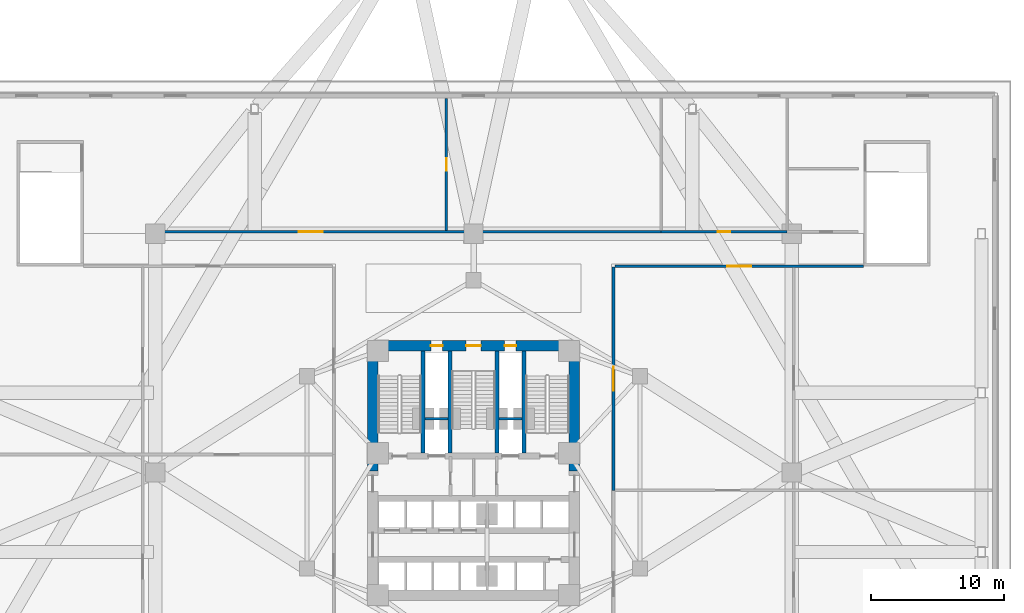
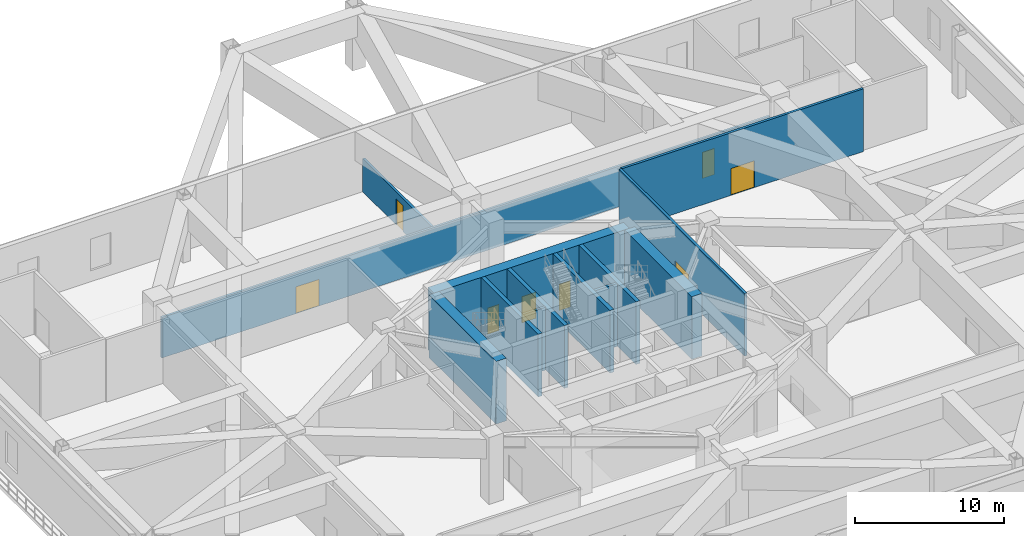
# One storey, part 8 of 15: 14 walls, 8 doors, 8 openings.
"""IFC4 building model written with IfcOpenShell, lengths in metres."""

from ifc_helpers import new_model, si_unit, direction, frame, frame_2d, origin, place, context, subcontext, project, spatial, rectangle, extrude, material, layer, layer_set, type_object, element, fill, save


model = new_model("IFC4")

# Units and contexts
model_context = context("Model", 3, precision=1e-05, world=origin(), true_north=direction((0.0, 1.0)))
body_context = subcontext(model_context, "Body", "Model", "MODEL_VIEW")
ifc_project = project(units=[si_unit("LENGTHUNIT", "METRE"), si_unit("AREAUNIT", "SQUARE_METRE"), si_unit("VOLUMEUNIT", "CUBIC_METRE"), si_unit("PLANEANGLEUNIT", "RADIAN"), si_unit("MASSUNIT", "GRAM", prefix="KILO")], contexts=[model_context])

# Site, building, storey
site_placement = place(None, origin())
site = spatial("IfcSite", under=ifc_project, at=site_placement, CompositionType="ELEMENT")
building_placement = place(site_placement, origin())
building = spatial("IfcBuilding", under=site, at=building_placement, Name="Apsidion Concourse Tower", CompositionType="ELEMENT")
storey_placement = place(building_placement, frame((0.0, 0.0, 23.5)))
storey = spatial("IfcBuildingStorey", under=building, at=storey_placement, Name="L04", CompositionType="ELEMENT", Elevation=23.5)

# Wall, opening, door
ifc_material_1 = material(Name="Gypsum plasterboard partition")
ifc_layer_1 = layer(ifc_material_1, 0.179931640625)
ifc_layer_set_1 = layer_set([ifc_layer_1], Name="Gypsum plasterboard partition")
wall_type_1 = type_object("IfcWallType", Name="WL-INT-PAR-180", PredefinedType="PARTITIONING", material=ifc_layer_set_1)
wall_1_placement = place(storey_placement, frame((-2.050048828125, 18.25, 0.0), z_axis=(0.0, 0.0, 1.0), x_axis=(0.0, 1.0, 0.0)))
wall_1 = element("IfcWall", 1, at=wall_1_placement, inside=storey, type_object=wall_type_1, Name="L04 Interior Partition WL-L04-NBV", PredefinedType="PARTITIONING", context=body_context, shape_type="SweptSolid", body=[
    extrude(rectangle(XDim=9.955078125, YDim=0.179931640625, at=frame_2d((4.9775390625, 0.0))), origin(), (0.0, 0.0, 1.0), 2.72998046875),
])
opening_1_placement = place(wall_1_placement, frame((4.50244140625, 0.0, 0.0)))
opening_1 = element("IfcOpeningElement", 2, at=opening_1_placement, cuts=wall_1, Name="Opening D-04L", PredefinedType="OPENING", context=body_context, shape_type="SweptSolid", body=[
    extrude(rectangle(XDim=0.949951171875, YDim=2.14990234375, at=frame_2d((0.47509765625, 1.074951171875))), frame((0.0, 0.10009765625, 0.0), z_axis=(0.0, -1.0, 0.0), x_axis=(1.0, 0.0, 0.0)), (0.0, 0.0, 1.0), 0.199951171875),
])
ifc_material_2 = material(Name="Brushed stainless steel 316", Category="steel")
door_type_1 = type_object("IfcDoorType", Name="DR-INT-D04L", OperationType="SINGLE_SWING_LEFT", PredefinedType="DOOR", material=ifc_material_2)
door_1_placement = place(opening_1_placement, origin())
door_1 = element("IfcDoor", 3, at=door_1_placement, inside=storey, type_object=door_type_1, Name="L04 Convention Door WL-L04-NBV", OperationType="SINGLE_SWING_LEFT", OverallHeight=2.14990234375, OverallWidth=0.949951171875, PredefinedType="DOOR", context=body_context, shape_type="SweptSolid", body=[
    extrude(rectangle(XDim=0.949951171875, YDim=2.14990234375, at=frame_2d((0.47509765625, 1.074951171875))), frame((0.0, 0.02490234375, 0.0), z_axis=(0.0, -1.0, 0.0), x_axis=(1.0, 0.0, 0.0)), (0.0, 0.0, 1.0), 0.050048828125),
])
fill(opening_1, door_1)

wall_2_placement = place(storey_placement, frame((-23.60009765625, 18.14990234375, 0.0), z_axis=(0.0, 0.0, 1.0), x_axis=(1.0, 0.0, 0.0)))
wall_2 = element("IfcWall", 4, at=wall_2_placement, inside=storey, type_object=wall_type_1, Name="L04 Interior Partition WL-L04-NW", PredefinedType="PARTITIONING", context=body_context, shape_type="SweptSolid", body=[
    extrude(rectangle(XDim=37.75, YDim=0.179931640625, at=frame_2d((18.875, 0.0))), origin(), (0.0, 0.0, 1.0), 3.330078125),
])
opening_2_placement = place(wall_2_placement, frame((10.425048828125, 0.0, 0.0)))
opening_2 = element("IfcOpeningElement", 5, at=opening_2_placement, cuts=wall_2, Name="Opening D-06D", PredefinedType="OPENING", context=body_context, shape_type="SweptSolid", body=[
    extrude(rectangle(XDim=1.800048828125, YDim=2.199951171875, at=frame_2d((0.89990234375, 1.10009765625))), frame((0.0, 0.10009765625, 0.0), z_axis=(0.0, -1.0, 0.0), x_axis=(1.0, 0.0, 0.0)), (0.0, 0.0, 1.0), 0.199951171875),
])
door_type_2 = type_object("IfcDoorType", Name="DR-INT-D06D", OperationType="DOUBLE_DOOR_SINGLE_SWING", PredefinedType="DOOR", material=ifc_material_2)
door_2_placement = place(opening_2_placement, origin())
door_2 = element("IfcDoor", 6, at=door_2_placement, inside=storey, type_object=door_type_2, Name="L04 Convention Door WL-L04-NW", OperationType="DOUBLE_DOOR_SINGLE_SWING", OverallHeight=2.199951171875, OverallWidth=1.800048828125, PredefinedType="DOOR", context=body_context, shape_type="SweptSolid", body=[
    extrude(rectangle(XDim=1.800048828125, YDim=2.199951171875, at=frame_2d((0.89990234375, 1.10009765625))), frame((0.0, 0.02490234375, 0.0), z_axis=(0.0, -1.0, 0.0), x_axis=(1.0, 0.0, 0.0)), (0.0, 0.0, 1.0), 0.050048828125),
])
fill(opening_2, door_2)

wall_3_placement = place(storey_placement, frame((14.14990234375, 18.14990234375, 0.0), z_axis=(0.0, 0.0, 1.0), x_axis=(1.0, 0.0, 0.0)))
wall_3 = element("IfcWall", 7, at=wall_3_placement, inside=storey, type_object=wall_type_1, Name="L04 Interior Partition WL-L04-WC1", PredefinedType="PARTITIONING", context=body_context, shape_type="SweptSolid", body=[
    extrude(rectangle(XDim=9.5, YDim=0.179931640625, at=frame_2d((4.75, 0.0))), origin(), (0.0, 0.0, 1.0), 3.330078125),
])
opening_3_placement = place(wall_3_placement, frame((4.27490234375, 0.0, 0.0)))
opening_3 = element("IfcOpeningElement", 8, at=opening_3_placement, cuts=wall_3, Name="Opening D-01L", PredefinedType="OPENING", context=body_context, shape_type="SweptSolid", body=[
    extrude(rectangle(XDim=0.949951171875, YDim=2.14990234375, at=frame_2d((0.47509765625, 1.074951171875))), frame((0.0, 0.10009765625, 0.0), z_axis=(0.0, -1.0, 0.0), x_axis=(1.0, 0.0, 0.0)), (0.0, 0.0, 1.0), 0.199951171875),
])
door_type_3 = type_object("IfcDoorType", Name="DR-INT-D01L", OperationType="SINGLE_SWING_LEFT", PredefinedType="DOOR", material=ifc_material_2)
door_3_placement = place(opening_3_placement, origin())
door_3 = element("IfcDoor", 9, at=door_3_placement, inside=storey, type_object=door_type_3, Name="L04 Convention Door WL-L04-WC1", OperationType="SINGLE_SWING_LEFT", OverallHeight=2.14990234375, OverallWidth=0.949951171875, PredefinedType="DOOR", context=body_context, shape_type="SweptSolid", body=[
    extrude(rectangle(XDim=0.949951171875, YDim=2.14990234375, at=frame_2d((0.47509765625, 1.074951171875))), frame((0.0, 0.02490234375, 0.0), z_axis=(0.0, -1.0, 0.0), x_axis=(1.0, 0.0, 0.0)), (0.0, 0.0, 1.0), 0.050048828125),
])
fill(opening_3, door_3)

# Walls
ifc_layer_2 = layer(ifc_material_1, 0.199951171875)
ifc_layer_set_2 = layer_set([ifc_layer_2], Name="Gypsum plasterboard partition")
wall_type_2 = type_object("IfcWallType", Name="WL-INT-PAR-200", PredefinedType="PARTITIONING", material=ifc_layer_set_2)
for number, where, z_axis, x_axis, name in (
    (10, (-3.64990234375, 4.050048828125, 0.0), (0.0, 0.0, 1.0), (1.0, 0.0, 0.0), "L04 Interior Partition WL-L04-FF1-N"),
    (11, (1.919921875, 4.050048828125, 0.0), (0.0, 0.0, 1.0), (1.0, 0.0, 0.0), "L04 Interior Partition WL-L04-FF2-N"),
):
    element("IfcWall", number, at=place(storey_placement, frame(where, z_axis=z_axis, x_axis=x_axis)), inside=storey, type_object=wall_type_2, Name=name, PredefinedType="PARTITIONING", context=body_context, shape_type="SweptSolid", body=[
        extrude(rectangle(XDim=1.72998046875, YDim=0.199951171875, at=frame_2d((0.864990234375, 0.0))), origin(), (0.0, 0.0, 1.0), 5.14990234375),
    ])

# Wall, opening, door
wall_4_placement = place(storey_placement, frame((10.550048828125, -1.35009765625, 0.0), z_axis=(0.0, 0.0, 1.0), x_axis=(0.0, 1.0, 0.0)))
wall_4 = element("IfcWall", 12, at=wall_4_placement, inside=storey, type_object=wall_type_2, Name="L04 Interior Partition WL-L04-E2", PredefinedType="PARTITIONING", context=body_context, shape_type="SweptSolid", body=[
    extrude(rectangle(XDim=16.85009765625, YDim=0.199951171875, at=frame_2d((8.425048828125, 0.0))), origin(), (0.0, 0.0, 1.0), 5.14990234375),
])
opening_4_placement = place(wall_4_placement, frame((7.52490234375, 0.0, 0.0)))
opening_4 = element("IfcOpeningElement", 13, at=opening_4_placement, cuts=wall_4, Name="Opening D-06D", PredefinedType="OPENING", context=body_context, shape_type="SweptSolid", body=[
    extrude(rectangle(XDim=1.800048828125, YDim=2.199951171875, at=frame_2d((0.89990234375, 1.10009765625))), frame((0.0, 0.10986328125, 0.0), z_axis=(0.0, -1.0, 0.0), x_axis=(1.0, 0.0, 0.0)), (0.0, 0.0, 1.0), 0.219970703125),
])
door_4_placement = place(opening_4_placement, origin())
door_4 = element("IfcDoor", 14, at=door_4_placement, inside=storey, type_object=door_type_2, Name="L04 Convention Door WL-L04-E2", OperationType="DOUBLE_DOOR_SINGLE_SWING", OverallHeight=2.199951171875, OverallWidth=1.800048828125, PredefinedType="DOOR", context=body_context, shape_type="SweptSolid", body=[
    extrude(rectangle(XDim=1.800048828125, YDim=2.199951171875, at=frame_2d((0.89990234375, 1.10009765625))), frame((0.0, 0.02490234375, 0.0), z_axis=(0.0, -1.0, 0.0), x_axis=(1.0, 0.0, 0.0)), (0.0, 0.0, 1.0), 0.050048828125),
])
fill(opening_4, door_4)

wall_5_placement = place(storey_placement, frame((10.64990234375, 15.550048828125, 0.0), z_axis=(0.0, 0.0, 1.0), x_axis=(1.0, 0.0, 0.0)))
wall_5 = element("IfcWall", 15, at=wall_5_placement, inside=storey, type_object=wall_type_2, Name="L04 Interior Partition WL-L04-N2", PredefinedType="PARTITIONING", context=body_context, shape_type="SweptSolid", body=[
    extrude(rectangle(XDim=18.75, YDim=0.199951171875, at=frame_2d((9.375, 0.0))), origin(), (0.0, 0.0, 1.0), 5.14990234375),
])
opening_5_placement = place(wall_5_placement, frame((8.47509765625, 0.0, 0.0)))
opening_5 = element("IfcOpeningElement", 16, at=opening_5_placement, cuts=wall_5, Name="Opening D-06D", PredefinedType="OPENING", context=body_context, shape_type="SweptSolid", body=[
    extrude(rectangle(XDim=1.800048828125, YDim=2.199951171875, at=frame_2d((0.89990234375, 1.10009765625))), frame((0.0, 0.10986328125, 0.0), z_axis=(0.0, -1.0, 0.0), x_axis=(1.0, 0.0, 0.0)), (0.0, 0.0, 1.0), 0.219970703125),
])
door_5_placement = place(opening_5_placement, origin())
door_5 = element("IfcDoor", 17, at=door_5_placement, inside=storey, type_object=door_type_2, Name="L04 Convention Door WL-L04-N2", OperationType="DOUBLE_DOOR_SINGLE_SWING", OverallHeight=2.199951171875, OverallWidth=1.800048828125, PredefinedType="DOOR", context=body_context, shape_type="SweptSolid", body=[
    extrude(rectangle(XDim=1.800048828125, YDim=2.199951171875, at=frame_2d((0.89990234375, 1.10009765625))), frame((0.0, 0.02490234375, 0.0), z_axis=(0.0, -1.0, 0.0), x_axis=(1.0, 0.0, 0.0)), (0.0, 0.0, 1.0), 0.050048828125),
])
fill(opening_5, door_5)

# Walls
ifc_material_3 = material(Name="Concrete C50/60", Category="concrete")
ifc_layer_3 = layer(ifc_material_3, 0.300048828125)
ifc_layer_set_3 = layer_set([ifc_layer_3], Name="Concrete C50/60")
wall_type_3 = type_object("IfcWallType", Name="WL-SH-300", PredefinedType="SHEAR", material=ifc_layer_set_3)
for number, where, z_axis, x_axis, name in (
    (18, (-3.800048828125, 1.449951171875, 0.0), (0.0, 0.0, 1.0), (0.0, 1.0, 0.0), "L04 Central Core Shear Wall V1"),
    (19, (-1.77490234375, 1.449951171875, 0.0), (0.0, 0.0, 1.0), (0.0, 1.0, 0.0), "L04 Central Core Shear Wall V2"),
    (20, (1.77490234375, 1.449951171875, 0.0), (0.0, 0.0, 1.0), (0.0, 1.0, 0.0), "L04 Central Core Shear Wall V3"),
    (21, (3.800048828125, 1.449951171875, 0.0), (0.0, 0.0, 1.0), (0.0, 1.0, 0.0), "L04 Central Core Shear Wall V4"),
):
    element("IfcWall", number, at=place(storey_placement, frame(where, z_axis=z_axis, x_axis=x_axis)), inside=storey, type_object=wall_type_3, Name=name, PredefinedType="SHEAR", context=body_context, shape_type="SweptSolid", body=[
        extrude(rectangle(XDim=7.699951171875, YDim=0.300048828125, at=frame_2d((3.85009765625, 0.0))), origin(), (0.0, 0.0, 1.0), 5.14990234375),
    ])

# Wall, openings, doors
ifc_material_4 = material(Name="Concrete C60/75", Category="concrete")
ifc_layer_4 = layer(ifc_material_4, 0.800048828125)
ifc_layer_set_4 = layer_set([ifc_layer_4], Name="Concrete C60/75")
wall_type_4 = type_object("IfcWallType", Name="WL-SH-800", PredefinedType="SHEAR", material=ifc_layer_set_4)
wall_6_placement = place(storey_placement, frame((-7.60009765625, 9.550048828125, 0.0), z_axis=(0.0, 0.0, 1.0), x_axis=(1.0, 0.0, 0.0)))
wall_6 = element("IfcWall", 22, at=wall_6_placement, inside=storey, type_object=wall_type_4, Name="L04 Central Core Shear Wall N", PredefinedType="SHEAR", context=body_context, shape_type="SweptSolid", body=[
    extrude(rectangle(XDim=15.2001953125, YDim=0.800048828125, at=frame_2d((7.60009765625, 0.0))), origin(), (0.0, 0.0, 1.0), 5.14990234375),
])
opening_6_placement = place(wall_6_placement, frame((7.050048828125, 0.0, 0.0)))
opening_6 = element("IfcOpeningElement", 23, at=opening_6_placement, cuts=wall_6, Name="Opening D-STL", PredefinedType="OPENING", context=body_context, shape_type="SweptSolid", body=[
    extrude(rectangle(XDim=1.10009765625, YDim=2.14990234375, at=frame_2d((0.550048828125, 1.074951171875))), frame((0.0, 0.41015625, 0.0), z_axis=(0.0, -1.0, 0.0), x_axis=(1.0, 0.0, 0.0)), (0.0, 0.0, 1.0), 0.820068359375),
])
opening_7_placement = place(wall_6_placement, frame((4.3798828125, 0.0, 0.0)))
opening_7 = element("IfcOpeningElement", 24, at=opening_7_placement, cuts=wall_6, Name="Opening D-05L", PredefinedType="OPENING", context=body_context, shape_type="SweptSolid", body=[
    extrude(rectangle(XDim=0.8798828125, YDim=2.14990234375, at=frame_2d((0.43994140625, 1.074951171875))), frame((0.0, 0.41015625, 0.0), z_axis=(0.0, -1.0, 0.0), x_axis=(1.0, 0.0, 0.0)), (0.0, 0.0, 1.0), 0.820068359375),
])
opening_8_placement = place(wall_6_placement, frame((9.93994140625, 0.0, 0.0)))
opening_8 = element("IfcOpeningElement", 25, at=opening_8_placement, cuts=wall_6, Name="Opening D-05R", PredefinedType="OPENING", context=body_context, shape_type="SweptSolid", body=[
    extrude(rectangle(XDim=0.8798828125, YDim=2.14990234375, at=frame_2d((0.43994140625, 1.074951171875))), frame((0.0, 0.41015625, 0.0), z_axis=(0.0, -1.0, 0.0), x_axis=(1.0, 0.0, 0.0)), (0.0, 0.0, 1.0), 0.820068359375),
])
door_type_4 = type_object("IfcDoorType", Name="DR-INT-D05L", OperationType="SINGLE_SWING_LEFT", PredefinedType="DOOR", material=ifc_material_2)
door_6_placement = place(opening_7_placement, origin())
door_6 = element("IfcDoor", 26, at=door_6_placement, inside=storey, type_object=door_type_4, Name="L04 Electrical Riser Shaft Access Door", OperationType="SINGLE_SWING_LEFT", OverallHeight=2.14990234375, OverallWidth=0.8798828125, PredefinedType="DOOR", context=body_context, shape_type="SweptSolid", body=[
    extrude(rectangle(XDim=0.8798828125, YDim=2.14990234375, at=frame_2d((0.43994140625, 1.074951171875))), frame((0.0, 0.02490234375, 0.0), z_axis=(0.0, -1.0, 0.0), x_axis=(1.0, 0.0, 0.0)), (0.0, 0.0, 1.0), 0.050048828125),
])
fill(opening_7, door_6)
door_type_5 = type_object("IfcDoorType", Name="DR-INT-D05R", OperationType="SINGLE_SWING_RIGHT", PredefinedType="DOOR", material=ifc_material_2)
door_7_placement = place(opening_8_placement, origin())
door_7 = element("IfcDoor", 27, at=door_7_placement, inside=storey, type_object=door_type_5, Name="L04 Mechanical Riser Shaft Access Door", OperationType="SINGLE_SWING_RIGHT", OverallHeight=2.14990234375, OverallWidth=0.8798828125, PredefinedType="DOOR", context=body_context, shape_type="SweptSolid", body=[
    extrude(rectangle(XDim=0.8798828125, YDim=2.14990234375, at=frame_2d((0.43994140625, 1.074951171875))), frame((0.0, 0.02490234375, 0.0), z_axis=(0.0, -1.0, 0.0), x_axis=(1.0, 0.0, 0.0)), (0.0, 0.0, 1.0), 0.050048828125),
])
fill(opening_8, door_7)
door_type_6 = type_object("IfcDoorType", Name="DR-INT-ST1L", OperationType="SINGLE_SWING_LEFT", PredefinedType="DOOR", material=ifc_material_2)
door_8_placement = place(opening_6_placement, origin())
door_8 = element("IfcDoor", 28, at=door_8_placement, inside=storey, type_object=door_type_6, Name="L04 Core Exit Stair ST3 Door", OperationType="SINGLE_SWING_LEFT", OverallHeight=2.14990234375, OverallWidth=1.10009765625, PredefinedType="DOOR", context=body_context, shape_type="SweptSolid", body=[
    extrude(rectangle(XDim=1.10009765625, YDim=2.14990234375, at=frame_2d((0.550048828125, 1.074951171875))), frame((0.0, 0.02490234375, 0.0), z_axis=(0.0, -1.0, 0.0), x_axis=(1.0, 0.0, 0.0)), (0.0, 0.0, 1.0), 0.050048828125),
])
fill(opening_6, door_8)

# Walls
for number, where, z_axis, x_axis, name in (
    (29, (-7.60009765625, 0.10009765625, 0.0), (0.0, 0.0, 1.0), (0.0, 1.0, 0.0), "L04 Central Core Shear Wall WN"),
    (30, (7.60009765625, 0.10009765625, 0.0), (0.0, 0.0, 1.0), (0.0, 1.0, 0.0), "L04 Central Core Shear Wall EN"),
):
    element("IfcWall", number, at=place(storey_placement, frame(where, z_axis=z_axis, x_axis=x_axis)), inside=storey, type_object=wall_type_4, Name=name, PredefinedType="SHEAR", context=body_context, shape_type="SweptSolid", body=[
        extrude(rectangle(XDim=9.0498046875, YDim=0.800048828125, at=frame_2d((4.52490234375, 0.0))), origin(), (0.0, 0.0, 1.0), 5.14990234375),
    ])

save(model, "model.ifc")
